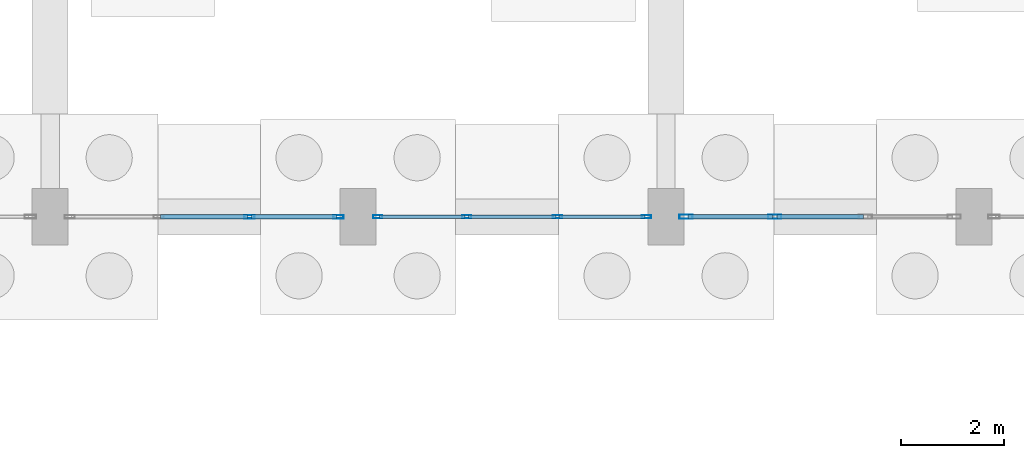
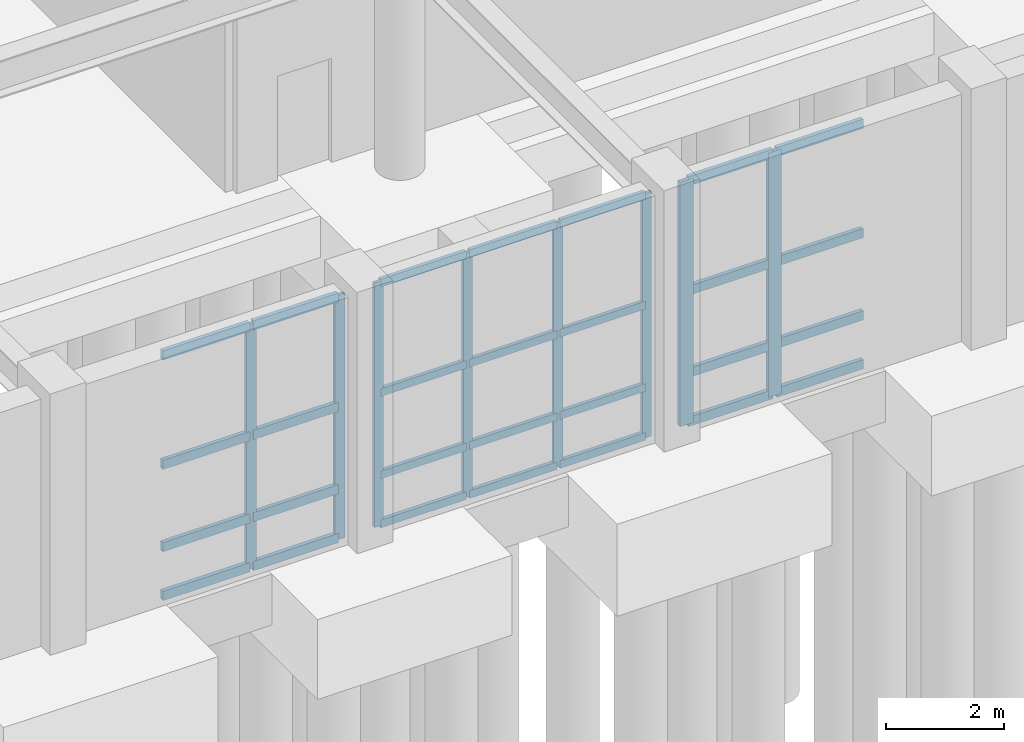
# One storey, part 31 of 69: 36 members, 3 elements without a shape of their own.
"""IFC4 building model written with IfcOpenShell, lengths in metres."""

from ifc_helpers import new_model, si_unit, direction, frame, origin, origin_2d, place, context, subcontext, project, spatial, hollow_rectangle, extrude, material, layer, layer_set, material_profile, profile_set, type_object, element, aggregate, save


model = new_model("IFC4")

# Units and contexts
model_context = context("Model", 3, precision=1e-05, world=origin(), true_north=direction((0.0, 1.0)))
body_context = subcontext(model_context, "Body", "Model", "MODEL_VIEW")
ifc_project = project(units=[si_unit("LENGTHUNIT", "METRE"), si_unit("AREAUNIT", "SQUARE_METRE"), si_unit("VOLUMEUNIT", "CUBIC_METRE"), si_unit("PLANEANGLEUNIT", "RADIAN"), si_unit("MASSUNIT", "GRAM", prefix="KILO")], contexts=[model_context])

# Site, building, storey
site_placement = place(None, origin())
site = spatial("IfcSite", under=ifc_project, at=site_placement, CompositionType="ELEMENT")
building_placement = place(site_placement, origin())
building = spatial("IfcBuilding", under=site, at=building_placement, Name="Vaelkrest Opera House", CompositionType="ELEMENT")
storey_placement = place(building_placement, frame((0.0, 0.0, -5.39990234375)))
storey = spatial("IfcBuildingStorey", under=building, at=storey_placement, Name="B1", CompositionType="ELEMENT", Elevation=-5.39990234375)

# Curtain wall, members
ifc_material = material(Name="Dark bronze anodized aluminium", Category="aluminium")
ifc_layer_1 = layer(ifc_material, 0.219970703125)
ifc_layer_set_1 = layer_set([ifc_layer_1], Name="Dark bronze anodized aluminium")
curtain_wall_type_1 = type_object("IfcCurtainWallType", Name="CW05", PredefinedType="NOTDEFINED", material=ifc_layer_set_1)
curtain_wall_1_placement = place(storey_placement, origin())
curtain_wall_1 = element("IfcCurtainWall", 1, at=curtain_wall_1_placement, inside=storey, type_object=curtain_wall_type_1, Name="Curtain wall CW-B1-005", PredefinedType="NOTDEFINED")
ifc_material_profile_1 = material_profile(ifc_material, hollow_rectangle(XDim=0.06494140625, YDim=0.179931640625, WallThickness=0.00390625, at=origin_2d()), Name="CWM65X180")
ifc_profile_set_1 = profile_set([ifc_material_profile_1], Name="Dark bronze anodized aluminium")
member_type_1 = type_object("IfcMemberType", Name="CWM01", PredefinedType="MULLION", material=ifc_profile_set_1)
member_1_placement = place(storey_placement, frame((5.619384765625, -55.800048828125, 0.0), z_axis=(0.0, 0.0, 1.0), x_axis=(0.0, -1.0, 0.0)))
member_1 = element("IfcMember", 2, at=member_1_placement, type_object=member_type_1, Name="CW05 mullion 1", PredefinedType="MULLION", context=body_context, shape_type="SweptSolid", body=[
    extrude(hollow_rectangle(XDim=0.06494140625, YDim=0.179931640625, WallThickness=0.00390625, at=origin_2d()), origin(), (0.0, 0.0, 1.0), 5.0498046875),
])
member_2_placement = place(storey_placement, frame((3.884033203125, -55.800048828125, 0.0), z_axis=(0.0, 0.0, 1.0), x_axis=(0.0, -1.0, 0.0)))
member_2 = element("IfcMember", 3, at=member_2_placement, type_object=member_type_1, Name="CW05 mullion 2", PredefinedType="MULLION", context=body_context, shape_type="SweptSolid", body=[
    extrude(hollow_rectangle(XDim=0.06494140625, YDim=0.179931640625, WallThickness=0.00390625, at=origin_2d()), origin(), (0.0, 0.0, 1.0), 5.0498046875),
])
member_3_placement = place(storey_placement, frame((2.115966796875, -55.800048828125, 0.0), z_axis=(0.0, 0.0, 1.0), x_axis=(0.0, -1.0, 0.0)))
member_3 = element("IfcMember", 4, at=member_3_placement, type_object=member_type_1, Name="CW05 mullion 3", PredefinedType="MULLION", context=body_context, shape_type="SweptSolid", body=[
    extrude(hollow_rectangle(XDim=0.06494140625, YDim=0.179931640625, WallThickness=0.00390625, at=origin_2d()), origin(), (0.0, 0.0, 1.0), 5.0498046875),
])
member_4_placement = place(storey_placement, frame((0.380615234375, -55.800048828125, 0.0), z_axis=(0.0, 0.0, 1.0), x_axis=(0.0, -1.0, 0.0)))
member_4 = element("IfcMember", 5, at=member_4_placement, type_object=member_type_1, Name="CW05 mullion 4", PredefinedType="MULLION", context=body_context, shape_type="SweptSolid", body=[
    extrude(hollow_rectangle(XDim=0.06494140625, YDim=0.179931640625, WallThickness=0.00390625, at=origin_2d()), origin(), (0.0, 0.0, 1.0), 5.0498046875),
])

ifc_layer_2 = layer(ifc_material, 0.22998046875)
ifc_layer_set_2 = layer_set([ifc_layer_2], Name="Dark bronze anodized aluminium")
curtain_wall_type_2 = type_object("IfcCurtainWallType", Name="CW06", PredefinedType="NOTDEFINED", material=ifc_layer_set_2)
curtain_wall_2_placement = place(storey_placement, origin())
curtain_wall_2 = element("IfcCurtainWall", 6, at=curtain_wall_2_placement, inside=storey, type_object=curtain_wall_type_2, Name="Curtain wall CW-B1-006", PredefinedType="NOTDEFINED")
ifc_material_profile_2 = material_profile(ifc_material, hollow_rectangle(XDim=0.070068359375, YDim=0.199951171875, WallThickness=0.004150390625, at=origin_2d()), Name="CWM70X200")
ifc_profile_set_2 = profile_set([ifc_material_profile_2], Name="Dark bronze anodized aluminium")
member_type_2 = type_object("IfcMemberType", Name="CWM02", PredefinedType="MULLION", material=ifc_profile_set_2)
member_5_placement = place(storey_placement, frame((-0.383056640625, -55.800048828125, 0.0), z_axis=(0.0, 0.0, 1.0), x_axis=(0.0, -1.0, 0.0)))
member_5 = element("IfcMember", 7, at=member_5_placement, type_object=member_type_2, Name="CW06 mullion 1", PredefinedType="MULLION", context=body_context, shape_type="SweptSolid", body=[
    extrude(hollow_rectangle(XDim=0.070068359375, YDim=0.199951171875, WallThickness=0.004150390625, at=origin_2d()), origin(), (0.0, 0.0, 1.0), 5.0498046875),
])
member_6_placement = place(storey_placement, frame((-2.115966796875, -55.800048828125, 0.0), z_axis=(0.0, 0.0, 1.0), x_axis=(0.0, -1.0, 0.0)))
member_6 = element("IfcMember", 8, at=member_6_placement, type_object=member_type_2, Name="CW06 mullion 2", PredefinedType="MULLION", context=body_context, shape_type="SweptSolid", body=[
    extrude(hollow_rectangle(XDim=0.070068359375, YDim=0.199951171875, WallThickness=0.004150390625, at=origin_2d()), origin(), (0.0, 0.0, 1.0), 5.0498046875),
])

ifc_layer_3 = layer(ifc_material, 0.2099609375)
ifc_layer_set_3 = layer_set([ifc_layer_3], Name="Dark bronze anodized aluminium")
curtain_wall_type_3 = type_object("IfcCurtainWallType", Name="CW04", PredefinedType="NOTDEFINED", material=ifc_layer_set_3)
curtain_wall_3_placement = place(storey_placement, origin())
curtain_wall_3 = element("IfcCurtainWall", 9, at=curtain_wall_3_placement, inside=storey, type_object=curtain_wall_type_3, Name="Curtain wall CW-B1-004", PredefinedType="NOTDEFINED")
ifc_material_profile_3 = material_profile(ifc_material, hollow_rectangle(XDim=0.080078125, YDim=0.260009765625, WallThickness=0.0048828125, at=origin_2d()), Name="CWM80X260")
ifc_profile_set_3 = profile_set([ifc_material_profile_3], Name="Dark bronze anodized aluminium")
member_type_3 = type_object("IfcMemberType", Name="CWM04", PredefinedType="MULLION", material=ifc_profile_set_3)
member_7_placement = place(storey_placement, frame((8.115966796875, -55.800048828125, 0.0), z_axis=(0.0, 0.0, 1.0), x_axis=(0.0, -1.0, 0.0)))
member_7 = element("IfcMember", 10, at=member_7_placement, type_object=member_type_3, Name="CW04 mullion 3", PredefinedType="MULLION", context=body_context, shape_type="SweptSolid", body=[
    extrude(hollow_rectangle(XDim=0.080078125, YDim=0.260009765625, WallThickness=0.0048828125, at=origin_2d()), origin(), (0.0, 0.0, 1.0), 5.0498046875),
])
member_8_placement = place(storey_placement, frame((6.387939453125, -55.800048828125, 0.0), z_axis=(0.0, 0.0, 1.0), x_axis=(0.0, -1.0, 0.0)))
member_8 = element("IfcMember", 11, at=member_8_placement, type_object=member_type_3, Name="CW04 mullion 4", PredefinedType="MULLION", context=body_context, shape_type="SweptSolid", body=[
    extrude(hollow_rectangle(XDim=0.080078125, YDim=0.260009765625, WallThickness=0.0048828125, at=origin_2d()), origin(), (0.0, 0.0, 1.0), 5.0498046875),
])

# Member
ifc_material_profile_4 = material_profile(ifc_material, hollow_rectangle(XDim=0.074951171875, YDim=0.159912109375, WallThickness=0.00439453125, at=origin_2d()), Name="CWT75X160")
ifc_profile_set_4 = profile_set([ifc_material_profile_4], Name="Dark bronze anodized aluminium")
member_type_4 = type_object("IfcMemberType", Name="CWT03", PredefinedType="USERDEFINED", material=ifc_profile_set_4)
member_9_placement = place(storey_placement, frame((5.5869140625, -55.800048828125, 0.037353515625), z_axis=(-1.0, 0.0, 0.0), x_axis=(0.0, -1.0, 0.0)))
member_9 = element("IfcMember", 12, at=member_9_placement, type_object=member_type_4, Name="CW05 transom 1.1", ObjectType="TRANSOM", PredefinedType="USERDEFINED", context=body_context, shape_type="SweptSolid", body=[
    extrude(hollow_rectangle(XDim=0.074951171875, YDim=0.159912109375, WallThickness=0.00439453125, at=origin_2d()), origin(), (0.0, 0.0, 1.0), 1.67041015625),
])

member_10_placement = place(storey_placement, frame((5.5869140625, -55.800048828125, 1.0498046875), z_axis=(-1.0, 0.0, 0.0), x_axis=(0.0, -1.0, 0.0)))
member_10 = element("IfcMember", 13, at=member_10_placement, type_object=member_type_4, Name="CW05 transom 1.2", ObjectType="TRANSOM", PredefinedType="USERDEFINED", context=body_context, shape_type="SweptSolid", body=[
    extrude(hollow_rectangle(XDim=0.074951171875, YDim=0.159912109375, WallThickness=0.00439453125, at=origin_2d()), origin(), (0.0, 0.0, 1.0), 1.67041015625),
])

member_11_placement = place(storey_placement, frame((5.5869140625, -55.800048828125, 2.75), z_axis=(-1.0, 0.0, 0.0), x_axis=(0.0, -1.0, 0.0)))
member_11 = element("IfcMember", 14, at=member_11_placement, type_object=member_type_4, Name="CW05 transom 1.3", ObjectType="TRANSOM", PredefinedType="USERDEFINED", context=body_context, shape_type="SweptSolid", body=[
    extrude(hollow_rectangle(XDim=0.074951171875, YDim=0.159912109375, WallThickness=0.00439453125, at=origin_2d()), origin(), (0.0, 0.0, 1.0), 1.67041015625),
])

member_12_placement = place(storey_placement, frame((5.5869140625, -55.800048828125, 5.012451171875), z_axis=(-1.0, 0.0, 0.0), x_axis=(0.0, -1.0, 0.0)))
member_12 = element("IfcMember", 15, at=member_12_placement, type_object=member_type_4, Name="CW05 transom 1.4", ObjectType="TRANSOM", PredefinedType="USERDEFINED", context=body_context, shape_type="SweptSolid", body=[
    extrude(hollow_rectangle(XDim=0.074951171875, YDim=0.159912109375, WallThickness=0.00439453125, at=origin_2d()), origin(), (0.0, 0.0, 1.0), 1.67041015625),
])

member_13_placement = place(storey_placement, frame((3.8515625, -55.800048828125, 0.037353515625), z_axis=(-1.0, 0.0, 0.0), x_axis=(0.0, -1.0, 0.0)))
member_13 = element("IfcMember", 16, at=member_13_placement, type_object=member_type_4, Name="CW05 transom 2.1", ObjectType="TRANSOM", PredefinedType="USERDEFINED", context=body_context, shape_type="SweptSolid", body=[
    extrude(hollow_rectangle(XDim=0.074951171875, YDim=0.159912109375, WallThickness=0.00439453125, at=origin_2d()), origin(), (0.0, 0.0, 1.0), 1.703125),
])

member_14_placement = place(storey_placement, frame((3.8515625, -55.800048828125, 1.0498046875), z_axis=(-1.0, 0.0, 0.0), x_axis=(0.0, -1.0, 0.0)))
member_14 = element("IfcMember", 17, at=member_14_placement, type_object=member_type_4, Name="CW05 transom 2.2", ObjectType="TRANSOM", PredefinedType="USERDEFINED", context=body_context, shape_type="SweptSolid", body=[
    extrude(hollow_rectangle(XDim=0.074951171875, YDim=0.159912109375, WallThickness=0.00439453125, at=origin_2d()), origin(), (0.0, 0.0, 1.0), 1.703125),
])

member_15_placement = place(storey_placement, frame((3.8515625, -55.800048828125, 2.75), z_axis=(-1.0, 0.0, 0.0), x_axis=(0.0, -1.0, 0.0)))
member_15 = element("IfcMember", 18, at=member_15_placement, type_object=member_type_4, Name="CW05 transom 2.3", ObjectType="TRANSOM", PredefinedType="USERDEFINED", context=body_context, shape_type="SweptSolid", body=[
    extrude(hollow_rectangle(XDim=0.074951171875, YDim=0.159912109375, WallThickness=0.00439453125, at=origin_2d()), origin(), (0.0, 0.0, 1.0), 1.703125),
])

member_16_placement = place(storey_placement, frame((3.8515625, -55.800048828125, 5.012451171875), z_axis=(-1.0, 0.0, 0.0), x_axis=(0.0, -1.0, 0.0)))
member_16 = element("IfcMember", 19, at=member_16_placement, type_object=member_type_4, Name="CW05 transom 2.4", ObjectType="TRANSOM", PredefinedType="USERDEFINED", context=body_context, shape_type="SweptSolid", body=[
    extrude(hollow_rectangle(XDim=0.074951171875, YDim=0.159912109375, WallThickness=0.00439453125, at=origin_2d()), origin(), (0.0, 0.0, 1.0), 1.703125),
])

member_17_placement = place(storey_placement, frame((2.08349609375, -55.800048828125, 0.037353515625), z_axis=(-1.0, 0.0, 0.0), x_axis=(0.0, -1.0, 0.0)))
member_17 = element("IfcMember", 20, at=member_17_placement, type_object=member_type_4, Name="CW05 transom 3.1", ObjectType="TRANSOM", PredefinedType="USERDEFINED", context=body_context, shape_type="SweptSolid", body=[
    extrude(hollow_rectangle(XDim=0.074951171875, YDim=0.159912109375, WallThickness=0.00439453125, at=origin_2d()), origin(), (0.0, 0.0, 1.0), 1.67041015625),
])

member_18_placement = place(storey_placement, frame((2.08349609375, -55.800048828125, 1.0498046875), z_axis=(-1.0, 0.0, 0.0), x_axis=(0.0, -1.0, 0.0)))
member_18 = element("IfcMember", 21, at=member_18_placement, type_object=member_type_4, Name="CW05 transom 3.2", ObjectType="TRANSOM", PredefinedType="USERDEFINED", context=body_context, shape_type="SweptSolid", body=[
    extrude(hollow_rectangle(XDim=0.074951171875, YDim=0.159912109375, WallThickness=0.00439453125, at=origin_2d()), origin(), (0.0, 0.0, 1.0), 1.67041015625),
])

member_19_placement = place(storey_placement, frame((2.08349609375, -55.800048828125, 2.75), z_axis=(-1.0, 0.0, 0.0), x_axis=(0.0, -1.0, 0.0)))
member_19 = element("IfcMember", 22, at=member_19_placement, type_object=member_type_4, Name="CW05 transom 3.3", ObjectType="TRANSOM", PredefinedType="USERDEFINED", context=body_context, shape_type="SweptSolid", body=[
    extrude(hollow_rectangle(XDim=0.074951171875, YDim=0.159912109375, WallThickness=0.00439453125, at=origin_2d()), origin(), (0.0, 0.0, 1.0), 1.67041015625),
])

member_20_placement = place(storey_placement, frame((2.08349609375, -55.800048828125, 5.012451171875), z_axis=(-1.0, 0.0, 0.0), x_axis=(0.0, -1.0, 0.0)))
member_20 = element("IfcMember", 23, at=member_20_placement, type_object=member_type_4, Name="CW05 transom 3.4", ObjectType="TRANSOM", PredefinedType="USERDEFINED", context=body_context, shape_type="SweptSolid", body=[
    extrude(hollow_rectangle(XDim=0.074951171875, YDim=0.159912109375, WallThickness=0.00439453125, at=origin_2d()), origin(), (0.0, 0.0, 1.0), 1.67041015625),
])

aggregate(curtain_wall_1, [member_1, member_2, member_3, member_4, member_9, member_10, member_11, member_12, member_13, member_14, member_15, member_16, member_17, member_18, member_19, member_20])

ifc_material_profile_5 = material_profile(ifc_material, hollow_rectangle(XDim=0.080078125, YDim=0.18994140625, WallThickness=0.0048828125, at=origin_2d()), Name="CWT80X190")
ifc_profile_set_5 = profile_set([ifc_material_profile_5], Name="Dark bronze anodized aluminium")
member_type_5 = type_object("IfcMemberType", Name="CWT04", PredefinedType="USERDEFINED", material=ifc_profile_set_5)
member_21_placement = place(storey_placement, frame((9.843994140625, -55.800048828125, 0.039794921875), z_axis=(-1.0, 0.0, 0.0), x_axis=(0.0, -1.0, 0.0)))
member_21 = element("IfcMember", 24, at=member_21_placement, type_object=member_type_5, Name="CW04 transom 2.1", ObjectType="TRANSOM", PredefinedType="USERDEFINED", context=body_context, shape_type="SweptSolid", body=[
    extrude(hollow_rectangle(XDim=0.080078125, YDim=0.18994140625, WallThickness=0.0048828125, at=origin_2d()), origin(), (0.0, 0.0, 1.0), 1.68798828125),
])

member_22_placement = place(storey_placement, frame((9.843994140625, -55.800048828125, 1.0498046875), z_axis=(-1.0, 0.0, 0.0), x_axis=(0.0, -1.0, 0.0)))
member_22 = element("IfcMember", 25, at=member_22_placement, type_object=member_type_5, Name="CW04 transom 2.2", ObjectType="TRANSOM", PredefinedType="USERDEFINED", context=body_context, shape_type="SweptSolid", body=[
    extrude(hollow_rectangle(XDim=0.080078125, YDim=0.18994140625, WallThickness=0.0048828125, at=origin_2d()), origin(), (0.0, 0.0, 1.0), 1.68798828125),
])

member_23_placement = place(storey_placement, frame((9.843994140625, -55.800048828125, 2.75), z_axis=(-1.0, 0.0, 0.0), x_axis=(0.0, -1.0, 0.0)))
member_23 = element("IfcMember", 26, at=member_23_placement, type_object=member_type_5, Name="CW04 transom 2.3", ObjectType="TRANSOM", PredefinedType="USERDEFINED", context=body_context, shape_type="SweptSolid", body=[
    extrude(hollow_rectangle(XDim=0.080078125, YDim=0.18994140625, WallThickness=0.0048828125, at=origin_2d()), origin(), (0.0, 0.0, 1.0), 1.68798828125),
])

member_24_placement = place(storey_placement, frame((9.843994140625, -55.800048828125, 5.010009765625), z_axis=(-1.0, 0.0, 0.0), x_axis=(0.0, -1.0, 0.0)))
member_24 = element("IfcMember", 27, at=member_24_placement, type_object=member_type_5, Name="CW04 transom 2.4", ObjectType="TRANSOM", PredefinedType="USERDEFINED", context=body_context, shape_type="SweptSolid", body=[
    extrude(hollow_rectangle(XDim=0.080078125, YDim=0.18994140625, WallThickness=0.0048828125, at=origin_2d()), origin(), (0.0, 0.0, 1.0), 1.68798828125),
])

member_25_placement = place(storey_placement, frame((8.075927734375, -55.800048828125, 0.039794921875), z_axis=(-1.0, 0.0, 0.0), x_axis=(0.0, -1.0, 0.0)))
member_25 = element("IfcMember", 28, at=member_25_placement, type_object=member_type_5, Name="CW04 transom 3.1", ObjectType="TRANSOM", PredefinedType="USERDEFINED", context=body_context, shape_type="SweptSolid", body=[
    extrude(hollow_rectangle(XDim=0.080078125, YDim=0.18994140625, WallThickness=0.0048828125, at=origin_2d()), origin(), (0.0, 0.0, 1.0), 1.64794921875),
])

member_26_placement = place(storey_placement, frame((8.075927734375, -55.800048828125, 1.0498046875), z_axis=(-1.0, 0.0, 0.0), x_axis=(0.0, -1.0, 0.0)))
member_26 = element("IfcMember", 29, at=member_26_placement, type_object=member_type_5, Name="CW04 transom 3.2", ObjectType="TRANSOM", PredefinedType="USERDEFINED", context=body_context, shape_type="SweptSolid", body=[
    extrude(hollow_rectangle(XDim=0.080078125, YDim=0.18994140625, WallThickness=0.0048828125, at=origin_2d()), origin(), (0.0, 0.0, 1.0), 1.64794921875),
])

member_27_placement = place(storey_placement, frame((8.075927734375, -55.800048828125, 2.75), z_axis=(-1.0, 0.0, 0.0), x_axis=(0.0, -1.0, 0.0)))
member_27 = element("IfcMember", 30, at=member_27_placement, type_object=member_type_5, Name="CW04 transom 3.3", ObjectType="TRANSOM", PredefinedType="USERDEFINED", context=body_context, shape_type="SweptSolid", body=[
    extrude(hollow_rectangle(XDim=0.080078125, YDim=0.18994140625, WallThickness=0.0048828125, at=origin_2d()), origin(), (0.0, 0.0, 1.0), 1.64794921875),
])

member_28_placement = place(storey_placement, frame((8.075927734375, -55.800048828125, 5.010009765625), z_axis=(-1.0, 0.0, 0.0), x_axis=(0.0, -1.0, 0.0)))
member_28 = element("IfcMember", 31, at=member_28_placement, type_object=member_type_5, Name="CW04 transom 3.4", ObjectType="TRANSOM", PredefinedType="USERDEFINED", context=body_context, shape_type="SweptSolid", body=[
    extrude(hollow_rectangle(XDim=0.080078125, YDim=0.18994140625, WallThickness=0.0048828125, at=origin_2d()), origin(), (0.0, 0.0, 1.0), 1.64794921875),
])

aggregate(curtain_wall_3, [member_7, member_8, member_21, member_22, member_23, member_24, member_25, member_26, member_27, member_28])

member_29_placement = place(storey_placement, frame((-0.41796875, -55.800048828125, 0.039794921875), z_axis=(-1.0, 0.0, 0.0), x_axis=(0.0, -1.0, 0.0)))
member_29 = element("IfcMember", 32, at=member_29_placement, type_object=member_type_5, Name="CW06 transom 1.1", ObjectType="TRANSOM", PredefinedType="USERDEFINED", context=body_context, shape_type="SweptSolid", body=[
    extrude(hollow_rectangle(XDim=0.080078125, YDim=0.18994140625, WallThickness=0.0048828125, at=origin_2d()), origin(), (0.0, 0.0, 1.0), 1.6630859375),
])

member_30_placement = place(storey_placement, frame((-0.41796875, -55.800048828125, 1.0498046875), z_axis=(-1.0, 0.0, 0.0), x_axis=(0.0, -1.0, 0.0)))
member_30 = element("IfcMember", 33, at=member_30_placement, type_object=member_type_5, Name="CW06 transom 1.2", ObjectType="TRANSOM", PredefinedType="USERDEFINED", context=body_context, shape_type="SweptSolid", body=[
    extrude(hollow_rectangle(XDim=0.080078125, YDim=0.18994140625, WallThickness=0.0048828125, at=origin_2d()), origin(), (0.0, 0.0, 1.0), 1.6630859375),
])

member_31_placement = place(storey_placement, frame((-0.41796875, -55.800048828125, 2.75), z_axis=(-1.0, 0.0, 0.0), x_axis=(0.0, -1.0, 0.0)))
member_31 = element("IfcMember", 34, at=member_31_placement, type_object=member_type_5, Name="CW06 transom 1.3", ObjectType="TRANSOM", PredefinedType="USERDEFINED", context=body_context, shape_type="SweptSolid", body=[
    extrude(hollow_rectangle(XDim=0.080078125, YDim=0.18994140625, WallThickness=0.0048828125, at=origin_2d()), origin(), (0.0, 0.0, 1.0), 1.6630859375),
])

member_32_placement = place(storey_placement, frame((-0.41796875, -55.800048828125, 5.010009765625), z_axis=(-1.0, 0.0, 0.0), x_axis=(0.0, -1.0, 0.0)))
member_32 = element("IfcMember", 35, at=member_32_placement, type_object=member_type_5, Name="CW06 transom 1.4", ObjectType="TRANSOM", PredefinedType="USERDEFINED", context=body_context, shape_type="SweptSolid", body=[
    extrude(hollow_rectangle(XDim=0.080078125, YDim=0.18994140625, WallThickness=0.0048828125, at=origin_2d()), origin(), (0.0, 0.0, 1.0), 1.6630859375),
])

member_33_placement = place(storey_placement, frame((-2.15087890625, -55.800048828125, 0.039794921875), z_axis=(-1.0, 0.0, 0.0), x_axis=(0.0, -1.0, 0.0)))
member_33 = element("IfcMember", 36, at=member_33_placement, type_object=member_type_5, Name="CW06 transom 2.1", ObjectType="TRANSOM", PredefinedType="USERDEFINED", context=body_context, shape_type="SweptSolid", body=[
    extrude(hollow_rectangle(XDim=0.080078125, YDim=0.18994140625, WallThickness=0.0048828125, at=origin_2d()), origin(), (0.0, 0.0, 1.0), 1.6982421875),
])

member_34_placement = place(storey_placement, frame((-2.15087890625, -55.800048828125, 1.0498046875), z_axis=(-1.0, 0.0, 0.0), x_axis=(0.0, -1.0, 0.0)))
member_34 = element("IfcMember", 37, at=member_34_placement, type_object=member_type_5, Name="CW06 transom 2.2", ObjectType="TRANSOM", PredefinedType="USERDEFINED", context=body_context, shape_type="SweptSolid", body=[
    extrude(hollow_rectangle(XDim=0.080078125, YDim=0.18994140625, WallThickness=0.0048828125, at=origin_2d()), origin(), (0.0, 0.0, 1.0), 1.6982421875),
])

member_35_placement = place(storey_placement, frame((-2.15087890625, -55.800048828125, 2.75), z_axis=(-1.0, 0.0, 0.0), x_axis=(0.0, -1.0, 0.0)))
member_35 = element("IfcMember", 38, at=member_35_placement, type_object=member_type_5, Name="CW06 transom 2.3", ObjectType="TRANSOM", PredefinedType="USERDEFINED", context=body_context, shape_type="SweptSolid", body=[
    extrude(hollow_rectangle(XDim=0.080078125, YDim=0.18994140625, WallThickness=0.0048828125, at=origin_2d()), origin(), (0.0, 0.0, 1.0), 1.6982421875),
])

member_36_placement = place(storey_placement, frame((-2.15087890625, -55.800048828125, 5.010009765625), z_axis=(-1.0, 0.0, 0.0), x_axis=(0.0, -1.0, 0.0)))
member_36 = element("IfcMember", 39, at=member_36_placement, type_object=member_type_5, Name="CW06 transom 2.4", ObjectType="TRANSOM", PredefinedType="USERDEFINED", context=body_context, shape_type="SweptSolid", body=[
    extrude(hollow_rectangle(XDim=0.080078125, YDim=0.18994140625, WallThickness=0.0048828125, at=origin_2d()), origin(), (0.0, 0.0, 1.0), 1.6982421875),
])

aggregate(curtain_wall_2, [member_5, member_6, member_29, member_30, member_31, member_32, member_33, member_34, member_35, member_36])

save(model, "model.ifc")
